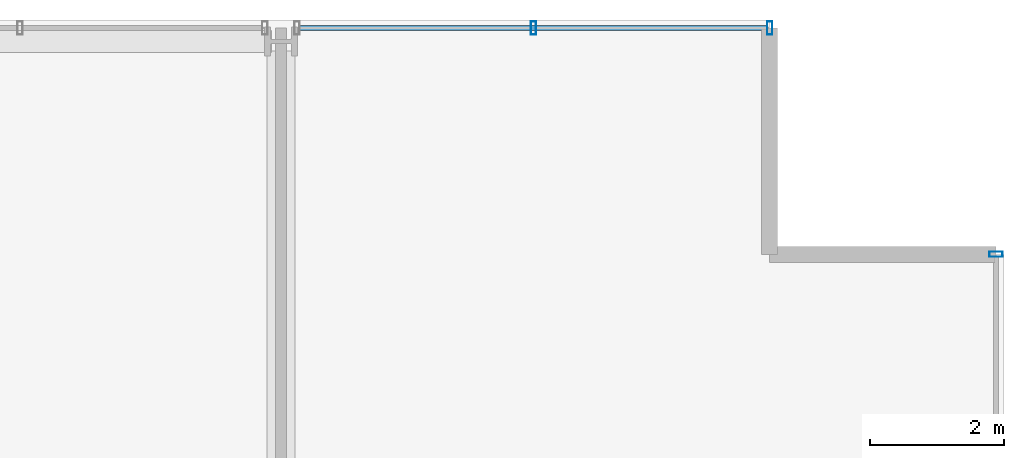
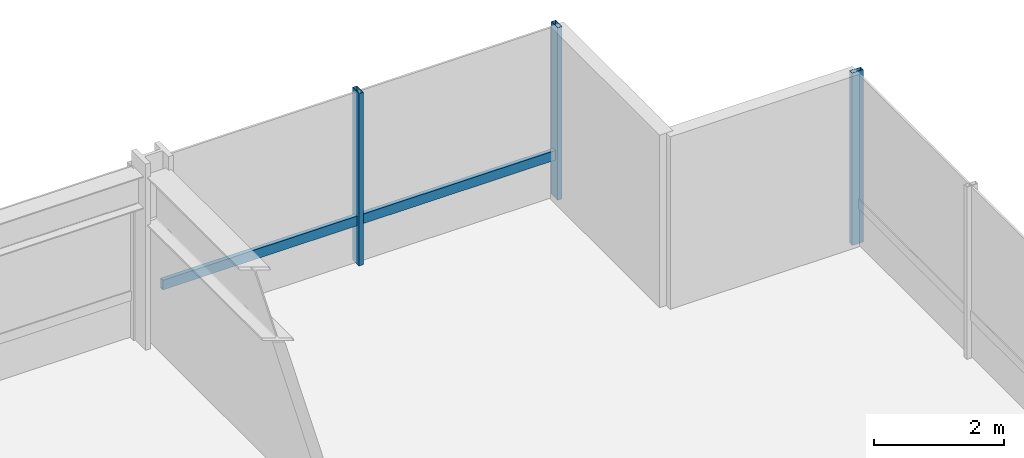
# One storey, part 28 of 39: 4 members, 2 elements without a shape of their own.
"""IFC4 building model written with IfcOpenShell, lengths in metres."""

from ifc_helpers import new_model, si_unit, direction, frame, origin, origin_2d, place, context, subcontext, project, spatial, hollow_rectangle, extrude, material, layer, layer_set, material_profile, profile_set, type_object, element, aggregate, save


model = new_model("IFC4")

# Units and contexts
model_context = context("Model", 3, precision=1e-05, world=origin(), true_north=direction((0.0, 1.0)))
body_context = subcontext(model_context, "Body", "Model", "MODEL_VIEW")
ifc_project = project(units=[si_unit("LENGTHUNIT", "METRE"), si_unit("AREAUNIT", "SQUARE_METRE"), si_unit("VOLUMEUNIT", "CUBIC_METRE"), si_unit("PLANEANGLEUNIT", "RADIAN"), si_unit("MASSUNIT", "GRAM", prefix="KILO")], contexts=[model_context])

# Site, building, storey
site_placement = place(None, origin())
site = spatial("IfcSite", under=ifc_project, at=site_placement, CompositionType="ELEMENT")
building_placement = place(site_placement, origin())
building = spatial("IfcBuilding", under=site, at=building_placement, Name="Drelvath Grand Hotel", CompositionType="ELEMENT")
storey_placement = place(building_placement, frame((0.0, 0.0, 36.699951171875)))
storey = spatial("IfcBuildingStorey", under=building, at=storey_placement, Name="L07", CompositionType="ELEMENT", Elevation=36.699951171875)

# Curtain wall, member
ifc_material = material(Name="Warm Bronze Anodised Aluminium Frame", Category="aluminium")
ifc_layer = layer(ifc_material, 0.199951171875)
ifc_layer_set = layer_set([ifc_layer], Name="Warm Bronze Anodised Aluminium Frame")
curtain_wall_type = type_object("IfcCurtainWallType", Name="Stick Curtain Wall CW-02 Warm Bronze Low-Rise", PredefinedType="NOTDEFINED", material=ifc_layer_set)
curtain_wall_1_placement = place(storey_placement, origin())
curtain_wall_1 = element("IfcCurtainWall", 1, at=curtain_wall_1_placement, inside=storey, type_object=curtain_wall_type, Name="L07 CW-02 Curtain Wall CW02-L07-NE3", PredefinedType="NOTDEFINED")
ifc_material_profile_1 = material_profile(ifc_material, hollow_rectangle(XDim=0.074951171875, YDim=0.179931640625, WallThickness=0.0048828125, at=origin_2d()), Name="HSS180X75X5")
ifc_profile_set_1 = profile_set([ifc_material_profile_1], Name="Warm Bronze Anodised Aluminium Frame")
member_type_1 = type_object("IfcMemberType", Name="Curtain Wall Horizontal Transom CW-02 HSS180X75X5", PredefinedType="USERDEFINED", material=ifc_profile_set_1)
member_1_placement = place(storey_placement, frame((16.48095703125, 53.8798828125, 0.81005859375), z_axis=(1.0, 0.0, 0.0), x_axis=(0.0, 1.0, 0.0)))
member_1 = element("IfcMember", 2, at=member_1_placement, type_object=member_type_1, Name="CW02-L07-NE3 Sill Transom", ObjectType="TRANSOM", PredefinedType="USERDEFINED", context=body_context, shape_type="SweptSolid", body=[
    extrude(hollow_rectangle(XDim=0.074951171875, YDim=0.179931640625, WallThickness=0.0048828125, at=origin_2d()), origin(), (0.0, 0.0, 1.0), 6.97900390625),
])

curtain_wall_2_placement = place(storey_placement, origin())
curtain_wall_2 = element("IfcCurtainWall", 3, at=curtain_wall_2_placement, inside=storey, type_object=curtain_wall_type, Name="L07 CW-02 Curtain Wall CW02-L07-EN3", PredefinedType="NOTDEFINED")
ifc_material_profile_2 = material_profile(ifc_material, hollow_rectangle(XDim=0.080078125, YDim=0.199951171875, WallThickness=0.0048828125, at=origin_2d()), Name="HSS200X80X5")
ifc_profile_set_2 = profile_set([ifc_material_profile_2], Name="Warm Bronze Anodised Aluminium Frame")
member_type_2 = type_object("IfcMemberType", Name="Curtain Wall Vertical Mullion CW-02 HSS200X80X5", PredefinedType="MULLION", material=ifc_profile_set_2)
member_2_placement = place(storey_placement, frame((26.8798828125, 50.5, 0.0), z_axis=(0.0, 0.0, 1.0), x_axis=(0.0, 1.0, 0.0)))
member_2 = element("IfcMember", 4, at=member_2_placement, type_object=member_type_2, Name="CW02-L07-EN3 Mullion 1", PredefinedType="MULLION", context=body_context, shape_type="SweptSolid", body=[
    extrude(hollow_rectangle(XDim=0.080078125, YDim=0.199951171875, WallThickness=0.0048828125, at=origin_2d()), origin(), (0.0, 0.0, 1.0), 3.239990234375),
])
aggregate(curtain_wall_2, [member_2])

# Member
member_3_placement = place(storey_placement, frame((19.970458984375, 53.8798828125, 0.0), z_axis=(0.0, 0.0, 1.0), x_axis=(1.0, 0.0, 0.0)))
member_3 = element("IfcMember", 5, at=member_3_placement, type_object=member_type_2, Name="CW02-L07-NE3 Mullion 2", PredefinedType="MULLION", context=body_context, shape_type="SweptSolid", body=[
    extrude(hollow_rectangle(XDim=0.080078125, YDim=0.199951171875, WallThickness=0.0048828125, at=origin_2d()), origin(), (0.0, 0.0, 1.0), 3.239990234375),
])

member_4_placement = place(storey_placement, frame((23.5, 53.8798828125, 0.0), z_axis=(0.0, 0.0, 1.0), x_axis=(1.0, 0.0, 0.0)))
member_4 = element("IfcMember", 6, at=member_4_placement, type_object=member_type_2, Name="CW02-L07-NE3 Mullion 3", PredefinedType="MULLION", context=body_context, shape_type="SweptSolid", body=[
    extrude(hollow_rectangle(XDim=0.080078125, YDim=0.199951171875, WallThickness=0.0048828125, at=origin_2d()), origin(), (0.0, 0.0, 1.0), 3.239990234375),
])

aggregate(curtain_wall_1, [member_3, member_4, member_1])

save(model, "model.ifc")
